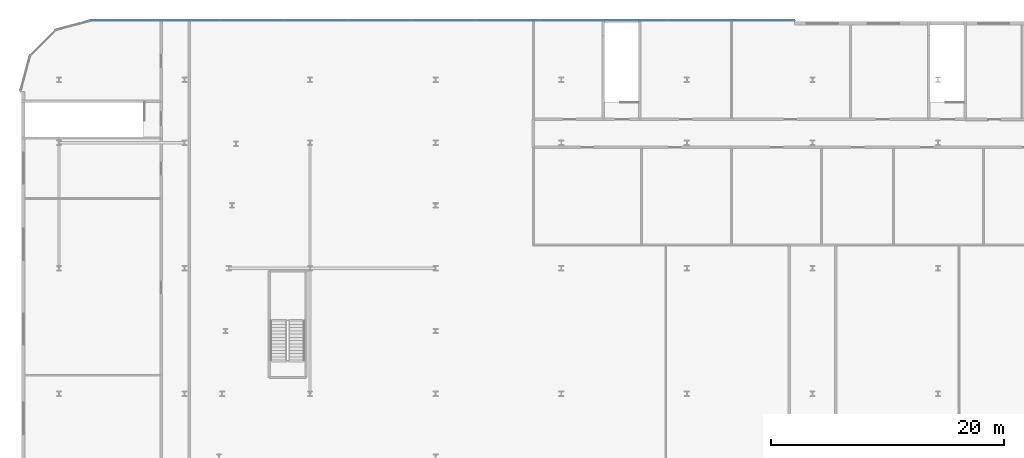
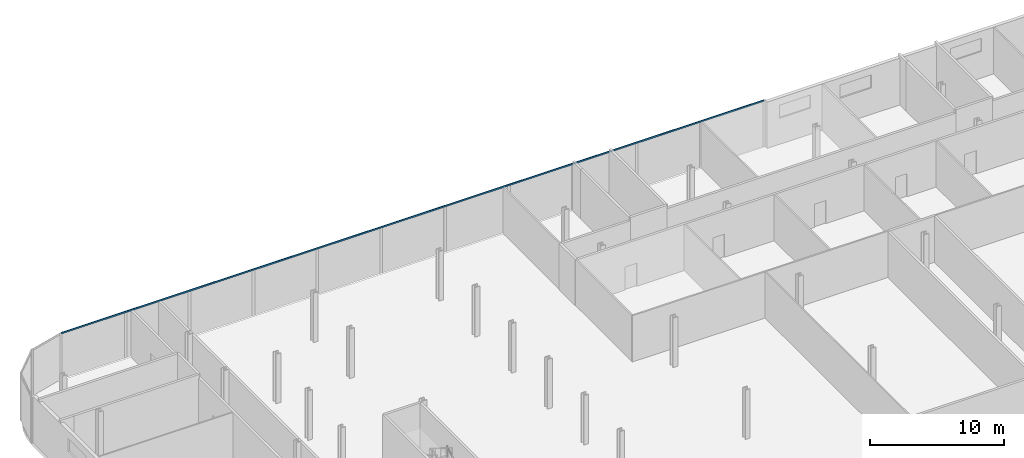
# One storey, part 17 of 43: 1 member, 1 element without a shape of its own.
"""IFC4 building model written with IfcOpenShell, lengths in metres."""

from ifc_helpers import new_model, si_unit, direction, frame, origin, origin_2d, place, context, subcontext, project, spatial, rectangle, extrude, material, layer, layer_set, material_profile, profile_set, type_object, element, aggregate, save


model = new_model("IFC4")

# Units and contexts
model_context = context("Model", 3, precision=1e-05, world=origin(), true_north=direction((0.0, 1.0)))
body_context = subcontext(model_context, "Body", "Model", "MODEL_VIEW")
ifc_project = project(units=[si_unit("LENGTHUNIT", "METRE"), si_unit("AREAUNIT", "SQUARE_METRE"), si_unit("VOLUMEUNIT", "CUBIC_METRE"), si_unit("PLANEANGLEUNIT", "RADIAN"), si_unit("MASSUNIT", "GRAM", prefix="KILO")], contexts=[model_context])

# Site, building, storey
site_placement = place(None, origin())
site = spatial("IfcSite", under=ifc_project, at=site_placement, CompositionType="ELEMENT")
building_placement = place(site_placement, origin())
building = spatial("IfcBuilding", under=site, at=building_placement, Name="Kheshtan School and Residences Tower", CompositionType="ELEMENT")
storey_placement = place(building_placement, frame((0.0, 0.0, 26.0)))
storey = spatial("IfcBuildingStorey", under=building, at=storey_placement, Name="L05", CompositionType="ELEMENT", Elevation=26.0)

# Curtain wall, member
ifc_material_1 = material(Name="Clear low-e glass in thermally broken aluminium frame", Category="aluminium")
ifc_layer = layer(ifc_material_1, 0.22509765625)
ifc_layer_set = layer_set([ifc_layer], Name="Curtain wall CW-P")
curtain_wall_type = type_object("IfcCurtainWallType", Name="Curtain wall CW-P", PredefinedType="NOTDEFINED", material=ifc_layer_set)
curtain_wall_placement = place(storey_placement, origin())
curtain_wall = element("IfcCurtainWall", 1, at=curtain_wall_placement, inside=storey, type_object=curtain_wall_type, Name="Curtain wall CWP4a", PredefinedType="NOTDEFINED")
ifc_material_2 = material(Name="Thermally broken aluminium, dark bronze anodised", Category="aluminium")
ifc_material_profile = material_profile(ifc_material_2, rectangle(XDim=0.06005859375, YDim=0.139892578125, at=origin_2d()), Name="CW-P transom 60x140")
ifc_profile_set = profile_set([ifc_material_profile], Name="Thermally broken aluminium, dark bronze anodised")
member_type = type_object("IfcMemberType", Name="CW-P transom 60x140", PredefinedType="USERDEFINED", material=ifc_profile_set)
member_placement = place(storey_placement, frame((17.97509765625, 110.10009765625, 4.179931640625), z_axis=(1.0, 0.0, 0.0), x_axis=(0.0, 1.0, 0.0)))
member = element("IfcMember", 2, at=member_placement, type_object=member_type, Name="CWP4a transom 1", ObjectType="TRANSOM", PredefinedType="USERDEFINED", context=body_context, shape_type="SweptSolid", body=[
    extrude(rectangle(XDim=0.06005859375, YDim=0.139892578125, at=origin_2d()), origin(), (0.0, 0.0, 1.0), 60.44482421875),
])
aggregate(curtain_wall, [member])

save(model, "model.ifc")
